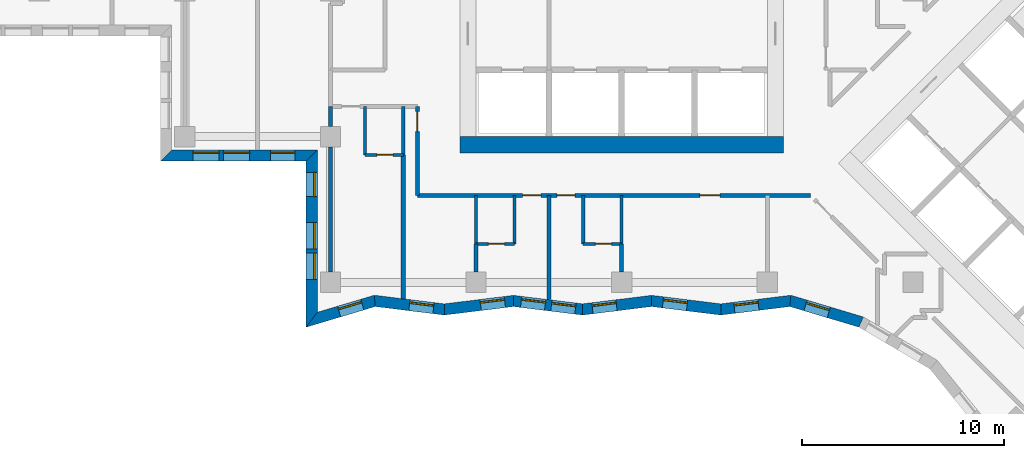
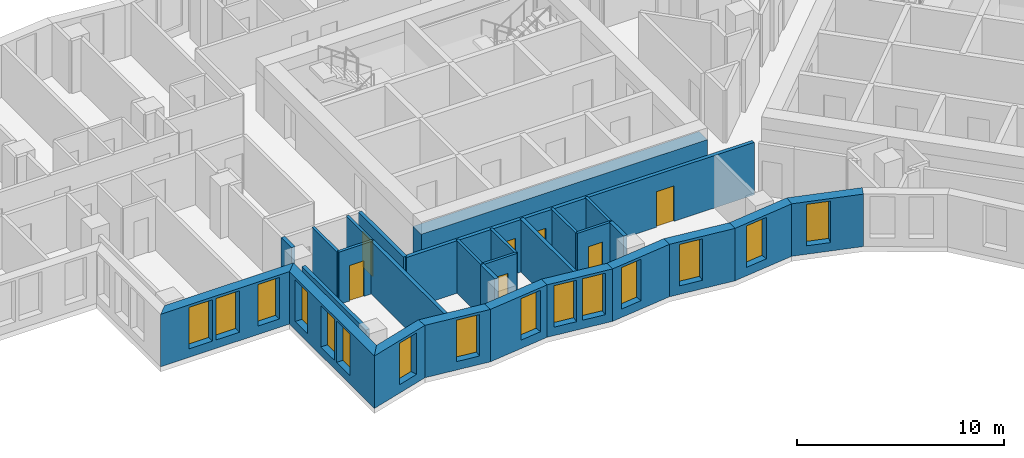
# One storey, part 2 of 13: 28 walls, 15 windows, 7 doors, 22 openings.
"""IFC4 building model written with IfcOpenShell, lengths in metres."""

from ifc_helpers import new_model, si_unit, direction, frame, frame_2d, origin, place, context, subcontext, project, spatial, polyline, rectangle, outline, extrude, material, layer, layer_set, type_object, element, fill, save


model = new_model("IFC4")

# Units and contexts
model_context = context("Model", 3, precision=1e-05, world=origin(), true_north=direction((0.0, 1.0)))
body_context = subcontext(model_context, "Body", "Model", "MODEL_VIEW")
ifc_project = project(units=[si_unit("LENGTHUNIT", "METRE"), si_unit("AREAUNIT", "SQUARE_METRE"), si_unit("VOLUMEUNIT", "CUBIC_METRE"), si_unit("PLANEANGLEUNIT", "RADIAN"), si_unit("MASSUNIT", "GRAM", prefix="KILO")], contexts=[model_context])

# Site, building, storey
site_placement = place(None, origin())
site = spatial("IfcSite", under=ifc_project, at=site_placement, CompositionType="ELEMENT")
building_placement = place(site_placement, origin())
building = spatial("IfcBuilding", under=site, at=building_placement, Name="Windrow Commons", CompositionType="ELEMENT")
storey_placement = place(building_placement, frame((0.0, 0.0, 94.8)))
storey = spatial("IfcBuildingStorey", under=building, at=storey_placement, Name="L25", CompositionType="ELEMENT", Elevation=94.8)

# Wall, openings, windows
ifc_material_1 = material(Name="Brick masonry, red clay brick", Category="masonry")
ifc_layer_1 = layer(ifc_material_1, 0.55)
ifc_layer_set_1 = layer_set([ifc_layer_1], Name="Brick facade wall 550")
wall_type_1 = type_object("IfcWallType", Name="Brick facade wall 550", PredefinedType="SOLIDWALL", material=ifc_layer_set_1)
wall_1_placement = place(storey_placement, frame((42.275, 49.475, 0.0), z_axis=(0.0, 0.0, 1.0), x_axis=(1.0, 0.0, 0.0)))
wall_1 = element("IfcWall", 1, at=wall_1_placement, inside=storey, type_object=wall_type_1, Name="Brick facade wall L25 42", PredefinedType="SOLIDWALL", context=body_context, shape_type="SweptSolid", body=[
    extrude(outline(polyline([(-0.275, -0.275), (6.925, -0.275), (7.475, 0.275), (0.275, 0.275), (-0.275, -0.275)])), origin(), (0.0, 0.0, 1.0), 3.1),
])
opening_1_placement = place(wall_1_placement, frame((1.325, 0.0, 0.5)))
opening_1 = element("IfcOpeningElement", 2, at=opening_1_placement, cuts=wall_1, Name="Opening W1P", PredefinedType="OPENING", context=body_context, shape_type="SweptSolid", body=[
    extrude(rectangle(XDim=1.3, YDim=2.45, at=frame_2d((0.65, 1.225))), frame((0.0, 0.285, 0.0), z_axis=(0.0, -1.0, 0.0), x_axis=(1.0, 0.0, 0.0)), (0.0, 0.0, 1.0), 0.57),
])
opening_2_placement = place(wall_1_placement, frame((2.825, 0.0, 0.5)))
opening_2 = element("IfcOpeningElement", 3, at=opening_2_placement, cuts=wall_1, Name="Opening W1P", PredefinedType="OPENING", context=body_context, shape_type="SweptSolid", body=[
    extrude(rectangle(XDim=1.3, YDim=2.45, at=frame_2d((0.65, 1.225))), frame((0.0, 0.285, 0.0), z_axis=(0.0, -1.0, 0.0), x_axis=(1.0, 0.0, 0.0)), (0.0, 0.0, 1.0), 0.57),
])
opening_3_placement = place(wall_1_placement, frame((5.1625, 0.0, 0.5)))
opening_3 = element("IfcOpeningElement", 4, at=opening_3_placement, cuts=wall_1, Name="Opening W7D", PredefinedType="OPENING", context=body_context, shape_type="SweptSolid", body=[
    extrude(rectangle(XDim=1.2, YDim=2.45, at=frame_2d((0.6, 1.225))), frame((0.0, 0.285, 0.0), z_axis=(0.0, -1.0, 0.0), x_axis=(1.0, 0.0, 0.0)), (0.0, 0.0, 1.0), 0.57),
])
ifc_material_2 = material(Name="Clear float glass in anodised aluminium frame", Category="aluminium")
window_type_1 = type_object("IfcWindowType", Name="Window W1P pair 1300x2450", PartitioningType="SINGLE_PANEL", PredefinedType="WINDOW", material=ifc_material_2)
window_1_placement = place(opening_1_placement, origin())
window_1 = element("IfcWindow", 5, at=window_1_placement, inside=storey, type_object=window_type_1, Name="Window L25 42.1A", OverallHeight=2.45, OverallWidth=1.3, PartitioningType="SINGLE_PANEL", PredefinedType="WINDOW", context=body_context, shape_type="SweptSolid", body=[
    extrude(rectangle(XDim=1.3, YDim=2.45, at=frame_2d((0.65, 1.225))), frame((0.0, 0.155, 0.0), z_axis=(0.0, -1.0, 0.0), x_axis=(1.0, 0.0, 0.0)), (0.0, 0.0, 1.0), 0.06),
])
fill(opening_1, window_1)
window_2_placement = place(opening_2_placement, origin())
window_2 = element("IfcWindow", 6, at=window_2_placement, inside=storey, type_object=window_type_1, Name="Window L25 42.1B", OverallHeight=2.45, OverallWidth=1.3, PartitioningType="SINGLE_PANEL", PredefinedType="WINDOW", context=body_context, shape_type="SweptSolid", body=[
    extrude(rectangle(XDim=1.3, YDim=2.45, at=frame_2d((0.65, 1.225))), frame((0.0, 0.155, 0.0), z_axis=(0.0, -1.0, 0.0), x_axis=(1.0, 0.0, 0.0)), (0.0, 0.0, 1.0), 0.06),
])
fill(opening_2, window_2)
ifc_material_3 = material(Name="Clear float glass in anodised aluminium frame", Category="aluminium")
window_type_2 = type_object("IfcWindowType", Name="Window W7 notch 1200x2450", PartitioningType="SINGLE_PANEL", PredefinedType="WINDOW", material=ifc_material_3)
window_3_placement = place(opening_3_placement, origin())
window_3 = element("IfcWindow", 7, at=window_3_placement, inside=storey, type_object=window_type_2, Name="Window L25 42.2", OverallHeight=2.45, OverallWidth=1.2, PartitioningType="SINGLE_PANEL", PredefinedType="WINDOW", context=body_context, shape_type="SweptSolid", body=[
    extrude(rectangle(XDim=1.2, YDim=2.45, at=frame_2d((0.6, 1.225))), frame((0.0, 0.155, 0.0), z_axis=(0.0, -1.0, 0.0), x_axis=(1.0, 0.0, 0.0)), (0.0, 0.0, 1.0), 0.06),
])
fill(opening_3, window_3)

wall_2_placement = place(storey_placement, frame((49.475, 49.475, 0.0), z_axis=(0.0, 0.0, 1.0), x_axis=(0.0, -1.0, 0.0)))
wall_2 = element("IfcWall", 8, at=wall_2_placement, inside=storey, type_object=wall_type_1, Name="Brick facade wall L25 43", PredefinedType="SOLIDWALL", context=body_context, shape_type="SweptSolid", body=[
    extrude(outline(polyline([(0.275, -0.275), (8.496, -0.275), (7.7576, 0.275), (-0.275, 0.275), (0.275, -0.275)])), origin(), (0.0, 0.0, 1.0), 3.1),
])
opening_4_placement = place(wall_2_placement, frame((3.325, 0.0, 0.5)))
opening_4 = element("IfcOpeningElement", 9, at=opening_4_placement, cuts=wall_2, Name="Opening W1P", PredefinedType="OPENING", context=body_context, shape_type="SweptSolid", body=[
    extrude(rectangle(XDim=1.3, YDim=2.45, at=frame_2d((0.65, 1.225))), frame((0.0, 0.285, 0.0), z_axis=(0.0, -1.0, 0.0), x_axis=(1.0, 0.0, 0.0)), (0.0, 0.0, 1.0), 0.57),
])
opening_5_placement = place(wall_2_placement, frame((4.825, 0.0, 0.5)))
opening_5 = element("IfcOpeningElement", 10, at=opening_5_placement, cuts=wall_2, Name="Opening W1P", PredefinedType="OPENING", context=body_context, shape_type="SweptSolid", body=[
    extrude(rectangle(XDim=1.3, YDim=2.45, at=frame_2d((0.65, 1.225))), frame((0.0, 0.285, 0.0), z_axis=(0.0, -1.0, 0.0), x_axis=(1.0, 0.0, 0.0)), (0.0, 0.0, 1.0), 0.57),
])
opening_6_placement = place(wall_2_placement, frame((0.8375, 0.0, 0.5)))
opening_6 = element("IfcOpeningElement", 11, at=opening_6_placement, cuts=wall_2, Name="Opening W7D", PredefinedType="OPENING", context=body_context, shape_type="SweptSolid", body=[
    extrude(rectangle(XDim=1.2, YDim=2.45, at=frame_2d((0.6, 1.225))), frame((0.0, 0.285, 0.0), z_axis=(0.0, -1.0, 0.0), x_axis=(1.0, 0.0, 0.0)), (0.0, 0.0, 1.0), 0.57),
])
window_4_placement = place(opening_4_placement, origin())
window_4 = element("IfcWindow", 12, at=window_4_placement, inside=storey, type_object=window_type_1, Name="Window L25 43.1A", OverallHeight=2.45, OverallWidth=1.3, PartitioningType="SINGLE_PANEL", PredefinedType="WINDOW", context=body_context, shape_type="SweptSolid", body=[
    extrude(rectangle(XDim=1.3, YDim=2.45, at=frame_2d((0.65, 1.225))), frame((0.0, 0.155, 0.0), z_axis=(0.0, -1.0, 0.0), x_axis=(1.0, 0.0, 0.0)), (0.0, 0.0, 1.0), 0.06),
])
fill(opening_4, window_4)
window_5_placement = place(opening_5_placement, origin())
window_5 = element("IfcWindow", 13, at=window_5_placement, inside=storey, type_object=window_type_1, Name="Window L25 43.1B", OverallHeight=2.45, OverallWidth=1.3, PartitioningType="SINGLE_PANEL", PredefinedType="WINDOW", context=body_context, shape_type="SweptSolid", body=[
    extrude(rectangle(XDim=1.3, YDim=2.45, at=frame_2d((0.65, 1.225))), frame((0.0, 0.155, 0.0), z_axis=(0.0, -1.0, 0.0), x_axis=(1.0, 0.0, 0.0)), (0.0, 0.0, 1.0), 0.06),
])
fill(opening_5, window_5)
window_6_placement = place(opening_6_placement, origin())
window_6 = element("IfcWindow", 14, at=window_6_placement, inside=storey, type_object=window_type_2, Name="Window L25 43.2", OverallHeight=2.45, OverallWidth=1.2, PartitioningType="SINGLE_PANEL", PredefinedType="WINDOW", context=body_context, shape_type="SweptSolid", body=[
    extrude(rectangle(XDim=1.2, YDim=2.45, at=frame_2d((0.6, 1.225))), frame((0.0, 0.155, 0.0), z_axis=(0.0, -1.0, 0.0), x_axis=(1.0, 0.0, 0.0)), (0.0, 0.0, 1.0), 0.06),
])
fill(opening_6, window_6)

# Wall, opening, window
wall_3_placement = place(storey_placement, frame((49.475, 41.3482, 0.0), z_axis=(0.0, 0.0, 1.0), x_axis=(0.9581327376, 0.2863243914, 0.0)))
wall_3 = element("IfcWall", 15, at=wall_3_placement, inside=storey, type_object=wall_type_1, Name="Brick facade wall L25 44", PredefinedType="SOLIDWALL", context=body_context, shape_type="SweptSolid", body=[
    extrude(outline(polyline([(-0.3692, -0.275), (3.1967, -0.275), (3.3119, 0.275), (0.3692, 0.275), (-0.3692, -0.275)])), origin(), (0.0, 0.0, 1.0), 3.1),
])
opening_7_placement = place(wall_3_placement, frame((1.4099, 0.0, 0.5)))
opening_7 = element("IfcOpeningElement", 16, at=opening_7_placement, cuts=wall_3, Name="Opening W7D", PredefinedType="OPENING", context=body_context, shape_type="SweptSolid", body=[
    extrude(rectangle(XDim=1.2, YDim=2.45, at=frame_2d((0.6, 1.225))), frame((0.0, 0.285, 0.0), z_axis=(0.0, -1.0, 0.0), x_axis=(1.0, 0.0, 0.0)), (0.0, 0.0, 1.0), 0.57),
])
window_7_placement = place(opening_7_placement, origin())
window_7 = element("IfcWindow", 17, at=window_7_placement, inside=storey, type_object=window_type_2, Name="Window L25 44.1", OverallHeight=2.45, OverallWidth=1.2, PartitioningType="SINGLE_PANEL", PredefinedType="WINDOW", context=body_context, shape_type="SweptSolid", body=[
    extrude(rectangle(XDim=1.2, YDim=2.45, at=frame_2d((0.6, 1.225))), frame((0.0, 0.155, 0.0), z_axis=(0.0, -1.0, 0.0), x_axis=(1.0, 0.0, 0.0)), (0.0, 0.0, 1.0), 0.06),
])
fill(opening_7, window_7)

wall_4_placement = place(storey_placement, frame((52.5931, 42.28, 0.0), z_axis=(0.0, 0.0, 1.0), x_axis=(0.9924934036, -0.1222981756, 0.0)))
wall_4 = element("IfcWall", 18, at=wall_4_placement, inside=storey, type_object=wall_type_1, Name="Brick facade wall L25 45", PredefinedType="SOLIDWALL", context=body_context, shape_type="SweptSolid", body=[
    extrude(outline(polyline([(0.0576, -0.275), (3.5001, -0.275), (3.4323, 0.275), (-0.0576, 0.275), (0.0576, -0.275)])), origin(), (0.0, 0.0, 1.0), 3.1),
])
opening_8_placement = place(wall_4_placement, frame((1.7249, 0.0, 0.5)))
opening_8 = element("IfcOpeningElement", 19, at=opening_8_placement, cuts=wall_4, Name="Opening W7D", PredefinedType="OPENING", context=body_context, shape_type="SweptSolid", body=[
    extrude(rectangle(XDim=1.2, YDim=2.45, at=frame_2d((0.6, 1.225))), frame((0.0, 0.285, 0.0), z_axis=(0.0, -1.0, 0.0), x_axis=(1.0, 0.0, 0.0)), (0.0, 0.0, 1.0), 0.57),
])
window_8_placement = place(opening_8_placement, origin())
window_8 = element("IfcWindow", 20, at=window_8_placement, inside=storey, type_object=window_type_2, Name="Window L25 45.1", OverallHeight=2.45, OverallWidth=1.2, PartitioningType="SINGLE_PANEL", PredefinedType="WINDOW", context=body_context, shape_type="SweptSolid", body=[
    extrude(rectangle(XDim=1.2, YDim=2.45, at=frame_2d((0.6, 1.225))), frame((0.0, 0.155, 0.0), z_axis=(0.0, -1.0, 0.0), x_axis=(1.0, 0.0, 0.0)), (0.0, 0.0, 1.0), 0.06),
])
fill(opening_8, window_8)

wall_5_placement = place(storey_placement, frame((56.0332, 41.8561, 0.0), z_axis=(0.0, 0.0, 1.0), x_axis=(0.9924939881, 0.122293432, 0.0)))
wall_5 = element("IfcWall", 21, at=wall_5_placement, inside=storey, type_object=wall_type_1, Name="Brick facade wall L25 46", PredefinedType="SOLIDWALL", context=body_context, shape_type="SweptSolid", body=[
    extrude(outline(polyline([(-0.0339, -0.275), (3.4086, -0.275), (3.4763, 0.275), (0.0339, 0.275), (-0.0339, -0.275)])), origin(), (0.0, 0.0, 1.0), 3.1),
])
opening_9_placement = place(wall_5_placement, frame((1.8105, 0.0, 0.5)))
opening_9 = element("IfcOpeningElement", 22, at=opening_9_placement, cuts=wall_5, Name="Opening W7D", PredefinedType="OPENING", context=body_context, shape_type="SweptSolid", body=[
    extrude(rectangle(XDim=1.2, YDim=2.45, at=frame_2d((0.6, 1.225))), frame((0.0, 0.285, 0.0), z_axis=(0.0, -1.0, 0.0), x_axis=(1.0, 0.0, 0.0)), (0.0, 0.0, 1.0), 0.57),
])
window_9_placement = place(opening_9_placement, origin())
window_9 = element("IfcWindow", 23, at=window_9_placement, inside=storey, type_object=window_type_2, Name="Window L25 46.1", OverallHeight=2.45, OverallWidth=1.2, PartitioningType="SINGLE_PANEL", PredefinedType="WINDOW", context=body_context, shape_type="SweptSolid", body=[
    extrude(rectangle(XDim=1.2, YDim=2.45, at=frame_2d((0.6, 1.225))), frame((0.0, 0.155, 0.0), z_axis=(0.0, -1.0, 0.0), x_axis=(1.0, 0.0, 0.0)), (0.0, 0.0, 1.0), 0.06),
])
fill(opening_9, window_9)

# Wall, openings, windows
wall_6_placement = place(storey_placement, frame((59.4499, 42.2771, 0.0), z_axis=(0.0, 0.0, 1.0), x_axis=(0.9924935537, -0.1222969578, 0.0)))
wall_6 = element("IfcWall", 24, at=wall_6_placement, inside=storey, type_object=wall_type_1, Name="Brick facade wall L25 47", PredefinedType="SOLIDWALL", context=body_context, shape_type="SweptSolid", body=[
    extrude(outline(polyline([(0.0339, -0.275), (3.4763, -0.275), (3.4086, 0.275), (-0.0339, 0.275), (0.0339, -0.275)])), origin(), (0.0, 0.0, 1.0), 3.1),
])
opening_10_placement = place(wall_6_placement, frame((0.3817, 0.0, 0.5)))
opening_10 = element("IfcOpeningElement", 25, at=opening_10_placement, cuts=wall_6, Name="Opening W7D", PredefinedType="OPENING", context=body_context, shape_type="SweptSolid", body=[
    extrude(rectangle(XDim=1.2, YDim=2.45, at=frame_2d((0.6, 1.225))), frame((0.0, 0.285, 0.0), z_axis=(0.0, -1.0, 0.0), x_axis=(1.0, 0.0, 0.0)), (0.0, 0.0, 1.0), 0.57),
])
opening_11_placement = place(wall_6_placement, frame((1.886, 0.0, 0.5)))
opening_11 = element("IfcOpeningElement", 26, at=opening_11_placement, cuts=wall_6, Name="Opening W7D", PredefinedType="OPENING", context=body_context, shape_type="SweptSolid", body=[
    extrude(rectangle(XDim=1.2, YDim=2.45, at=frame_2d((0.6, 1.225))), frame((0.0, 0.285, 0.0), z_axis=(0.0, -1.0, 0.0), x_axis=(1.0, 0.0, 0.0)), (0.0, 0.0, 1.0), 0.57),
])
window_10_placement = place(opening_10_placement, origin())
window_10 = element("IfcWindow", 27, at=window_10_placement, inside=storey, type_object=window_type_2, Name="Window L25 47.1", OverallHeight=2.45, OverallWidth=1.2, PartitioningType="SINGLE_PANEL", PredefinedType="WINDOW", context=body_context, shape_type="SweptSolid", body=[
    extrude(rectangle(XDim=1.2, YDim=2.45, at=frame_2d((0.6, 1.225))), frame((0.0, 0.155, 0.0), z_axis=(0.0, -1.0, 0.0), x_axis=(1.0, 0.0, 0.0)), (0.0, 0.0, 1.0), 0.06),
])
fill(opening_10, window_10)
window_11_placement = place(opening_11_placement, origin())
window_11 = element("IfcWindow", 28, at=window_11_placement, inside=storey, type_object=window_type_2, Name="Window L25 47.2", OverallHeight=2.45, OverallWidth=1.2, PartitioningType="SINGLE_PANEL", PredefinedType="WINDOW", context=body_context, shape_type="SweptSolid", body=[
    extrude(rectangle(XDim=1.2, YDim=2.45, at=frame_2d((0.6, 1.225))), frame((0.0, 0.155, 0.0), z_axis=(0.0, -1.0, 0.0), x_axis=(1.0, 0.0, 0.0)), (0.0, 0.0, 1.0), 0.06),
])
fill(opening_11, window_11)

# Wall, opening, window
wall_7_placement = place(storey_placement, frame((62.8665, 41.8561, 0.0), z_axis=(0.0, 0.0, 1.0), x_axis=(0.9924935537, 0.1222969578, 0.0)))
wall_7 = element("IfcWall", 29, at=wall_7_placement, inside=storey, type_object=wall_type_1, Name="Brick facade wall L25 48", PredefinedType="SOLIDWALL", context=body_context, shape_type="SweptSolid", body=[
    extrude(outline(polyline([(-0.0339, -0.275), (3.4086, -0.275), (3.4763, 0.275), (0.0339, 0.275), (-0.0339, -0.275)])), origin(), (0.0, 0.0, 1.0), 3.1),
])
opening_12_placement = place(wall_7_placement, frame((0.491, 0.0, 0.5)))
opening_12 = element("IfcOpeningElement", 30, at=opening_12_placement, cuts=wall_7, Name="Opening W7D", PredefinedType="OPENING", context=body_context, shape_type="SweptSolid", body=[
    extrude(rectangle(XDim=1.2, YDim=2.45, at=frame_2d((0.6, 1.225))), frame((0.0, 0.285, 0.0), z_axis=(0.0, -1.0, 0.0), x_axis=(1.0, 0.0, 0.0)), (0.0, 0.0, 1.0), 0.57),
])
window_12_placement = place(opening_12_placement, origin())
window_12 = element("IfcWindow", 31, at=window_12_placement, inside=storey, type_object=window_type_2, Name="Window L25 48.1", OverallHeight=2.45, OverallWidth=1.2, PartitioningType="SINGLE_PANEL", PredefinedType="WINDOW", context=body_context, shape_type="SweptSolid", body=[
    extrude(rectangle(XDim=1.2, YDim=2.45, at=frame_2d((0.6, 1.225))), frame((0.0, 0.155, 0.0), z_axis=(0.0, -1.0, 0.0), x_axis=(1.0, 0.0, 0.0)), (0.0, 0.0, 1.0), 0.06),
])
fill(opening_12, window_12)

wall_8_placement = place(storey_placement, frame((66.2831, 42.2771, 0.0), z_axis=(0.0, 0.0, 1.0), x_axis=(0.9924935537, -0.1222969578, 0.0)))
wall_8 = element("IfcWall", 32, at=wall_8_placement, inside=storey, type_object=wall_type_1, Name="Brick facade wall L25 49", PredefinedType="SOLIDWALL", context=body_context, shape_type="SweptSolid", body=[
    extrude(outline(polyline([(0.0339, -0.275), (3.4763, -0.275), (3.4086, 0.275), (-0.0339, 0.275), (0.0339, -0.275)])), origin(), (0.0, 0.0, 1.0), 3.1),
])
opening_13_placement = place(wall_8_placement, frame((0.5664, 0.0, 0.5)))
opening_13 = element("IfcOpeningElement", 33, at=opening_13_placement, cuts=wall_8, Name="Opening W7D", PredefinedType="OPENING", context=body_context, shape_type="SweptSolid", body=[
    extrude(rectangle(XDim=1.2, YDim=2.45, at=frame_2d((0.6, 1.225))), frame((0.0, 0.285, 0.0), z_axis=(0.0, -1.0, 0.0), x_axis=(1.0, 0.0, 0.0)), (0.0, 0.0, 1.0), 0.57),
])
window_13_placement = place(opening_13_placement, origin())
window_13 = element("IfcWindow", 34, at=window_13_placement, inside=storey, type_object=window_type_2, Name="Window L25 49.1", OverallHeight=2.45, OverallWidth=1.2, PartitioningType="SINGLE_PANEL", PredefinedType="WINDOW", context=body_context, shape_type="SweptSolid", body=[
    extrude(rectangle(XDim=1.2, YDim=2.45, at=frame_2d((0.6, 1.225))), frame((0.0, 0.155, 0.0), z_axis=(0.0, -1.0, 0.0), x_axis=(1.0, 0.0, 0.0)), (0.0, 0.0, 1.0), 0.06),
])
fill(opening_13, window_13)

wall_9_placement = place(storey_placement, frame((69.6997, 41.8561, 0.0), z_axis=(0.0, 0.0, 1.0), x_axis=(0.9924938351, 0.1222946738, 0.0)))
wall_9 = element("IfcWall", 35, at=wall_9_placement, inside=storey, type_object=wall_type_1, Name="Brick facade wall L25 50", PredefinedType="SOLIDWALL", context=body_context, shape_type="SweptSolid", body=[
    extrude(outline(polyline([(-0.0339, -0.275), (3.4086, -0.275), (3.5238, 0.275), (0.0339, 0.275), (-0.0339, -0.275)])), origin(), (0.0, 0.0, 1.0), 3.1),
])
opening_14_placement = place(wall_9_placement, frame((0.6758, 0.0, 0.5)))
opening_14 = element("IfcOpeningElement", 36, at=opening_14_placement, cuts=wall_9, Name="Opening W7D", PredefinedType="OPENING", context=body_context, shape_type="SweptSolid", body=[
    extrude(rectangle(XDim=1.2, YDim=2.45, at=frame_2d((0.6, 1.225))), frame((0.0, 0.285, 0.0), z_axis=(0.0, -1.0, 0.0), x_axis=(1.0, 0.0, 0.0)), (0.0, 0.0, 1.0), 0.57),
])
window_14_placement = place(opening_14_placement, origin())
window_14 = element("IfcWindow", 37, at=window_14_placement, inside=storey, type_object=window_type_2, Name="Window L25 50.1", OverallHeight=2.45, OverallWidth=1.2, PartitioningType="SINGLE_PANEL", PredefinedType="WINDOW", context=body_context, shape_type="SweptSolid", body=[
    extrude(rectangle(XDim=1.2, YDim=2.45, at=frame_2d((0.6, 1.225))), frame((0.0, 0.155, 0.0), z_axis=(0.0, -1.0, 0.0), x_axis=(1.0, 0.0, 0.0)), (0.0, 0.0, 1.0), 0.06),
])
fill(opening_14, window_14)

wall_10_placement = place(storey_placement, frame((73.1399, 42.28, 0.0), z_axis=(0.0, 0.0, 1.0), x_axis=(0.9581298103, -0.286334187, 0.0)))
wall_10 = element("IfcWall", 38, at=wall_10_placement, inside=storey, type_object=wall_type_1, Name="Brick facade wall L25 51", PredefinedType="SOLIDWALL", context=body_context, shape_type="SweptSolid", body=[
    extrude(outline(polyline([(0.0576, -0.275), (3.6235, -0.275), (3.6903, 0.275), (-0.0576, 0.275), (0.0576, -0.275)])), origin(), (0.0, 0.0, 1.0), 3.1),
])
opening_15_placement = place(wall_10_placement, frame((0.7838, 0.0, 0.5)))
opening_15 = element("IfcOpeningElement", 39, at=opening_15_placement, cuts=wall_10, Name="Opening W7D", PredefinedType="OPENING", context=body_context, shape_type="SweptSolid", body=[
    extrude(rectangle(XDim=1.2, YDim=2.45, at=frame_2d((0.6, 1.225))), frame((0.0, 0.285, 0.0), z_axis=(0.0, -1.0, 0.0), x_axis=(1.0, 0.0, 0.0)), (0.0, 0.0, 1.0), 0.57),
])
window_15_placement = place(opening_15_placement, origin())
window_15 = element("IfcWindow", 40, at=window_15_placement, inside=storey, type_object=window_type_2, Name="Window L25 51.1", OverallHeight=2.45, OverallWidth=1.2, PartitioningType="SINGLE_PANEL", PredefinedType="WINDOW", context=body_context, shape_type="SweptSolid", body=[
    extrude(rectangle(XDim=1.2, YDim=2.45, at=frame_2d((0.6, 1.225))), frame((0.0, 0.155, 0.0), z_axis=(0.0, -1.0, 0.0), x_axis=(1.0, 0.0, 0.0)), (0.0, 0.0, 1.0), 0.06),
])
fill(opening_15, window_15)

# Wall, openings, doors
ifc_material_4 = material(Name="Blockwork partition", Category="masonry")
ifc_layer_2 = layer(ifc_material_4, 0.2)
ifc_layer_set_2 = layer_set([ifc_layer_2], Name="IW-CORRIDOR-200")
wall_type_2 = type_object("IfcWallType", Name="IW-CORRIDOR-200", PredefinedType="PARTITIONING", material=ifc_layer_set_2)
wall_11_placement = place(storey_placement, frame((54.7, 47.5, 0.0), z_axis=(0.0, 0.0, 1.0), x_axis=(1.0, 0.0, 0.0)))
wall_11 = element("IfcWall", 41, at=wall_11_placement, inside=storey, type_object=wall_type_2, Name="W-L25-W002", PredefinedType="PARTITIONING", context=body_context, shape_type="SweptSolid", body=[
    extrude(rectangle(XDim=19.442, YDim=0.2, at=frame_2d((9.721, 0.0))), origin(), (0.0, 0.0, 1.0), 3.1),
])
opening_16_placement = place(wall_11_placement, frame((5.2, 0.0, 0.0)))
opening_16 = element("IfcOpeningElement", 42, at=opening_16_placement, cuts=wall_11, Name="Opening D109S", PredefinedType="OPENING", context=body_context, shape_type="SweptSolid", body=[
    extrude(rectangle(XDim=0.9, YDim=2.1, at=frame_2d((0.45, 1.05))), frame((0.0, 0.11, 0.0), z_axis=(0.0, -1.0, 0.0), x_axis=(1.0, 0.0, 0.0)), (0.0, 0.0, 1.0), 0.22),
])
opening_17_placement = place(wall_11_placement, frame((6.9, 0.0, 0.0)))
opening_17 = element("IfcOpeningElement", 43, at=opening_17_placement, cuts=wall_11, Name="Opening D109S", PredefinedType="OPENING", context=body_context, shape_type="SweptSolid", body=[
    extrude(rectangle(XDim=0.9, YDim=2.1, at=frame_2d((0.45, 1.05))), frame((0.0, 0.11, 0.0), z_axis=(0.0, -1.0, 0.0), x_axis=(1.0, 0.0, 0.0)), (0.0, 0.0, 1.0), 0.22),
])
opening_18_placement = place(wall_11_placement, frame((13.9625, 0.0, 0.0)))
opening_18 = element("IfcOpeningElement", 44, at=opening_18_placement, cuts=wall_11, Name="Opening D310F", PredefinedType="OPENING", context=body_context, shape_type="SweptSolid", body=[
    extrude(rectangle(XDim=1.0, YDim=2.1, at=frame_2d((0.5, 1.05))), frame((0.0, 0.11, 0.0), z_axis=(0.0, -1.0, 0.0), x_axis=(1.0, 0.0, 0.0)), (0.0, 0.0, 1.0), 0.22),
])
ifc_material_5 = material(Name="Timber door leaf", Category="wood")
door_type_1 = type_object("IfcDoorType", Name="DT-AMENITY-1000", OperationType="SINGLE_SWING_LEFT", PredefinedType="DOOR", material=ifc_material_5)
door_1_placement = place(opening_18_placement, origin())
door_1 = element("IfcDoor", 45, at=door_1_placement, inside=storey, type_object=door_type_1, Name="D-L25-D041", OperationType="SINGLE_SWING_LEFT", OverallHeight=2.1, OverallWidth=1.0, PredefinedType="DOOR", context=body_context, shape_type="SweptSolid", body=[
    extrude(rectangle(XDim=1.0, YDim=2.1, at=frame_2d((0.5, 1.05))), frame((0.0, 0.025, 0.0), z_axis=(0.0, -1.0, 0.0), x_axis=(1.0, 0.0, 0.0)), (0.0, 0.0, 1.0), 0.05),
])
fill(opening_18, door_1)
ifc_material_6 = material(Name="Timber door leaf", Category="wood")
door_type_2 = type_object("IfcDoorType", Name="DT-BEDROOM-900", OperationType="SINGLE_SWING_LEFT", PredefinedType="DOOR", material=ifc_material_6)
door_2_placement = place(opening_16_placement, origin())
door_2 = element("IfcDoor", 46, at=door_2_placement, inside=storey, type_object=door_type_2, Name="D-L25-D037", OperationType="SINGLE_SWING_LEFT", OverallHeight=2.1, OverallWidth=0.9, PredefinedType="DOOR", context=body_context, shape_type="SweptSolid", body=[
    extrude(rectangle(XDim=0.9, YDim=2.1, at=frame_2d((0.45, 1.05))), frame((0.0, 0.025, 0.0), z_axis=(0.0, -1.0, 0.0), x_axis=(1.0, 0.0, 0.0)), (0.0, 0.0, 1.0), 0.05),
])
fill(opening_16, door_2)
door_3_placement = place(opening_17_placement, origin())
door_3 = element("IfcDoor", 47, at=door_3_placement, inside=storey, type_object=door_type_2, Name="D-L25-D039", OperationType="SINGLE_SWING_RIGHT", OverallHeight=2.1, OverallWidth=0.9, PredefinedType="DOOR", context=body_context, shape_type="SweptSolid", body=[
    extrude(rectangle(XDim=0.9, YDim=2.1, at=frame_2d((0.45, 1.05))), frame((0.0, 0.025, 0.0), z_axis=(0.0, -1.0, 0.0), x_axis=(1.0, 0.0, 0.0)), (0.0, 0.0, 1.0), 0.05),
])
fill(opening_17, door_3)

# Wall, opening, door
wall_12_placement = place(storey_placement, frame((54.7, 47.5, 0.0), z_axis=(0.0, 0.0, 1.0), x_axis=(0.0, 1.0, 0.0)))
wall_12 = element("IfcWall", 48, at=wall_12_placement, inside=storey, type_object=wall_type_2, Name="W-L25-W046", PredefinedType="PARTITIONING", context=body_context, shape_type="SweptSolid", body=[
    extrude(rectangle(XDim=4.4, YDim=0.2, at=frame_2d((2.2, 0.0))), origin(), (0.0, 0.0, 1.0), 3.1),
])
opening_19_placement = place(wall_12_placement, frame((3.149, 0.0, 0.0)))
opening_19 = element("IfcOpeningElement", 49, at=opening_19_placement, cuts=wall_12, Name="Opening D310F", PredefinedType="OPENING", context=body_context, shape_type="SweptSolid", body=[
    extrude(rectangle(XDim=1.0, YDim=2.1, at=frame_2d((0.5, 1.05))), frame((0.0, 0.11, 0.0), z_axis=(0.0, -1.0, 0.0), x_axis=(1.0, 0.0, 0.0)), (0.0, 0.0, 1.0), 0.22),
])
door_4_placement = place(opening_19_placement, origin())
door_4 = element("IfcDoor", 50, at=door_4_placement, inside=storey, type_object=door_type_1, Name="D-L25-D028", OperationType="SINGLE_SWING_RIGHT", OverallHeight=2.1, OverallWidth=1.0, PredefinedType="DOOR", context=body_context, shape_type="SweptSolid", body=[
    extrude(rectangle(XDim=1.0, YDim=2.1, at=frame_2d((0.5, 1.05))), frame((0.0, 0.025, 0.0), z_axis=(0.0, -1.0, 0.0), x_axis=(1.0, 0.0, 0.0)), (0.0, 0.0, 1.0), 0.05),
])
fill(opening_19, door_4)

# Walls
ifc_material_7 = material(Name="Blockwork partition", Category="masonry")
ifc_layer_3 = layer(ifc_material_7, 0.15)
ifc_layer_set_3 = layer_set([ifc_layer_3], Name="IW-ENSUITE-150")
wall_type_3 = type_object("IfcWallType", Name="IW-ENSUITE-150", PredefinedType="PARTITIONING", material=ifc_layer_set_3)
for number, where, z_axis, x_axis, name in (
    (51, (52.1, 49.5, 0.0), (0.0, 0.0, 1.0), (0.0, 1.0, 0.0), "W-L25-W083"),
    (52, (54.0, 49.5, 0.0), (0.0, 0.0, 1.0), (0.0, 1.0, 0.0), "W-L25-W084"),
    (53, (59.5, 45.1, 0.0), (0.0, 0.0, 1.0), (0.0, 1.0, 0.0), "W-L25-W085"),
    (54, (57.6, 45.1, 0.0), (0.0, 0.0, 1.0), (0.0, 1.0, 0.0), "W-L25-W086"),
    (55, (62.9, 45.1, 0.0), (0.0, 0.0, 1.0), (0.0, 1.0, 0.0), "W-L25-W087"),
    (56, (64.8, 45.1, 0.0), (0.0, 0.0, 1.0), (0.0, 1.0, 0.0), "W-L25-W088"),
):
    element("IfcWall", number, at=place(storey_placement, frame(where, z_axis=z_axis, x_axis=x_axis)), inside=storey, type_object=wall_type_3, Name=name, PredefinedType="PARTITIONING", context=body_context, shape_type="SweptSolid", body=[
        extrude(rectangle(XDim=2.4, YDim=0.15, at=frame_2d((1.2, 0.0))), origin(), (0.0, 0.0, 1.0), 3.1),
    ])

# Wall, opening, door
wall_13_placement = place(storey_placement, frame((52.1, 49.5, 0.0), z_axis=(0.0, 0.0, 1.0), x_axis=(1.0, 0.0, 0.0)))
wall_13 = element("IfcWall", 57, at=wall_13_placement, inside=storey, type_object=wall_type_3, Name="W-L25-W139", PredefinedType="PARTITIONING", context=body_context, shape_type="SweptSolid", body=[
    extrude(rectangle(XDim=1.9, YDim=0.15, at=frame_2d((0.95, 0.0))), origin(), (0.0, 0.0, 1.0), 3.1),
])
opening_20_placement = place(wall_13_placement, frame((0.5979, 0.0, 0.0)))
opening_20 = element("IfcOpeningElement", 58, at=opening_20_placement, cuts=wall_13, Name="Opening D208N", PredefinedType="OPENING", context=body_context, shape_type="SweptSolid", body=[
    extrude(rectangle(XDim=0.8, YDim=2.1, at=frame_2d((0.4, 1.05))), frame((0.0, 0.085, 0.0), z_axis=(0.0, -1.0, 0.0), x_axis=(1.0, 0.0, 0.0)), (0.0, 0.0, 1.0), 0.17),
])
ifc_material_8 = material(Name="Timber door leaf", Category="wood")
door_type_3 = type_object("IfcDoorType", Name="DT-ENSUITE-800", OperationType="SINGLE_SWING_LEFT", PredefinedType="DOOR", material=ifc_material_8)
door_5_placement = place(opening_20_placement, origin())
door_5 = element("IfcDoor", 59, at=door_5_placement, inside=storey, type_object=door_type_3, Name="D-L25-D027", OperationType="SINGLE_SWING_RIGHT", OverallHeight=2.1, OverallWidth=0.8, PredefinedType="DOOR", context=body_context, shape_type="SweptSolid", body=[
    extrude(rectangle(XDim=0.8, YDim=2.1, at=frame_2d((0.4, 1.05))), frame((0.0, 0.025, 0.0), z_axis=(0.0, -1.0, 0.0), x_axis=(1.0, 0.0, 0.0)), (0.0, 0.0, 1.0), 0.05),
])
fill(opening_20, door_5)

wall_14_placement = place(storey_placement, frame((57.6, 45.1, 0.0), z_axis=(0.0, 0.0, 1.0), x_axis=(1.0, 0.0, 0.0)))
wall_14 = element("IfcWall", 60, at=wall_14_placement, inside=storey, type_object=wall_type_3, Name="W-L25-W141", PredefinedType="PARTITIONING", context=body_context, shape_type="SweptSolid", body=[
    extrude(rectangle(XDim=1.9, YDim=0.15, at=frame_2d((0.95, 0.0))), origin(), (0.0, 0.0, 1.0), 3.1),
])
opening_21_placement = place(wall_14_placement, frame((0.6069, 0.0, 0.0)))
opening_21 = element("IfcOpeningElement", 61, at=opening_21_placement, cuts=wall_14, Name="Opening D208N", PredefinedType="OPENING", context=body_context, shape_type="SweptSolid", body=[
    extrude(rectangle(XDim=0.8, YDim=2.1, at=frame_2d((0.4, 1.05))), frame((0.0, 0.085, 0.0), z_axis=(0.0, -1.0, 0.0), x_axis=(1.0, 0.0, 0.0)), (0.0, 0.0, 1.0), 0.17),
])
door_6_placement = place(opening_21_placement, origin())
door_6 = element("IfcDoor", 62, at=door_6_placement, inside=storey, type_object=door_type_3, Name="D-L25-D038", OperationType="SINGLE_SWING_RIGHT", OverallHeight=2.1, OverallWidth=0.8, PredefinedType="DOOR", context=body_context, shape_type="SweptSolid", body=[
    extrude(rectangle(XDim=0.8, YDim=2.1, at=frame_2d((0.4, 1.05))), frame((0.0, 0.025, 0.0), z_axis=(0.0, -1.0, 0.0), x_axis=(1.0, 0.0, 0.0)), (0.0, 0.0, 1.0), 0.05),
])
fill(opening_21, door_6)

wall_15_placement = place(storey_placement, frame((62.9, 45.1, 0.0), z_axis=(0.0, 0.0, 1.0), x_axis=(1.0, 0.0, 0.0)))
wall_15 = element("IfcWall", 63, at=wall_15_placement, inside=storey, type_object=wall_type_3, Name="W-L25-W142", PredefinedType="PARTITIONING", context=body_context, shape_type="SweptSolid", body=[
    extrude(rectangle(XDim=1.9, YDim=0.15, at=frame_2d((0.95, 0.0))), origin(), (0.0, 0.0, 1.0), 3.1),
])
opening_22_placement = place(wall_15_placement, frame((0.5979, 0.0, 0.0)))
opening_22 = element("IfcOpeningElement", 64, at=opening_22_placement, cuts=wall_15, Name="Opening D208N", PredefinedType="OPENING", context=body_context, shape_type="SweptSolid", body=[
    extrude(rectangle(XDim=0.8, YDim=2.1, at=frame_2d((0.4, 1.05))), frame((0.0, 0.085, 0.0), z_axis=(0.0, -1.0, 0.0), x_axis=(1.0, 0.0, 0.0)), (0.0, 0.0, 1.0), 0.17),
])
door_7_placement = place(opening_22_placement, origin())
door_7 = element("IfcDoor", 65, at=door_7_placement, inside=storey, type_object=door_type_3, Name="D-L25-D040", OperationType="SINGLE_SWING_RIGHT", OverallHeight=2.1, OverallWidth=0.8, PredefinedType="DOOR", context=body_context, shape_type="SweptSolid", body=[
    extrude(rectangle(XDim=0.8, YDim=2.1, at=frame_2d((0.4, 1.05))), frame((0.0, 0.025, 0.0), z_axis=(0.0, -1.0, 0.0), x_axis=(1.0, 0.0, 0.0)), (0.0, 0.0, 1.0), 0.05),
])
fill(opening_22, door_7)

# Walls
ifc_material_9 = material(Name="Blockwork partition", Category="masonry")
ifc_layer_4 = layer(ifc_material_9, 0.2)
ifc_layer_set_4 = layer_set([ifc_layer_4], Name="IW-PARTY-200")
wall_type_4 = type_object("IfcWallType", Name="IW-PARTY-200", PredefinedType="PARTITIONING", material=ifc_layer_set_4)
wall_16_placement = place(storey_placement, frame((54.0, 42.3837, 0.0), z_axis=(0.0, 0.0, 1.0), x_axis=(0.0, 1.0, 0.0)))
element("IfcWall", 66, at=wall_16_placement, inside=storey, type_object=wall_type_4, Name="W-L25-W021", PredefinedType="PARTITIONING", context=body_context, shape_type="SweptSolid", body=[
    extrude(rectangle(XDim=7.1163, YDim=0.2, at=frame_2d((3.5581, 0.0))), origin(), (0.0, 0.0, 1.0), 3.1),
])
wall_17_placement = place(storey_placement, frame((50.4, 43.7, 0.0), z_axis=(0.0, 0.0, 1.0), x_axis=(0.0, 1.0, 0.0)))
element("IfcWall", 67, at=wall_17_placement, inside=storey, type_object=wall_type_4, Name="W-L25-W029", PredefinedType="PARTITIONING", context=body_context, shape_type="SweptSolid", body=[
    extrude(rectangle(XDim=6.2, YDim=0.2, at=frame_2d((3.1, 0.0))), origin(), (0.0, 0.0, 1.0), 2.6),
])
wall_18_placement = place(storey_placement, frame((61.2, 42.3385, 0.0), z_axis=(0.0, 0.0, 1.0), x_axis=(0.0, 1.0, 0.0)))
element("IfcWall", 68, at=wall_18_placement, inside=storey, type_object=wall_type_4, Name="W-L25-W042", PredefinedType="PARTITIONING", context=body_context, shape_type="SweptSolid", body=[
    extrude(rectangle(XDim=5.1615, YDim=0.2, at=frame_2d((2.5808, 0.0))), origin(), (0.0, 0.0, 1.0), 3.1),
])
for number, where, z_axis, x_axis, name in (
    (69, (57.6, 43.7, 0.0), (0.0, 0.0, 1.0), (0.0, 1.0, 0.0), "W-L25-W169"),
    (70, (64.8, 43.7, 0.0), (0.0, 0.0, 1.0), (0.0, 1.0, 0.0), "W-L25-W170"),
):
    element("IfcWall", number, at=place(storey_placement, frame(where, z_axis=z_axis, x_axis=x_axis)), inside=storey, type_object=wall_type_4, Name=name, PredefinedType="PARTITIONING", context=body_context, shape_type="SweptSolid", body=[
        extrude(rectangle(XDim=1.4, YDim=0.2, at=frame_2d((0.7, 0.0))), origin(), (0.0, 0.0, 1.0), 3.1),
    ])
wall_19_placement = place(storey_placement, frame((50.4, 50.9, 0.0), z_axis=(0.0, 0.0, 1.0), x_axis=(0.0, 1.0, 0.0)))
element("IfcWall", 71, at=wall_19_placement, inside=storey, type_object=wall_type_4, Name="W-L25-W182", PredefinedType="PARTITIONING", context=body_context, shape_type="SweptSolid", body=[
    extrude(rectangle(XDim=1.0, YDim=0.2, at=frame_2d((0.5, 0.0))), origin(), (0.0, 0.0, 1.0), 3.1),
])
ifc_material_10 = material(Name="Concrete C50/60", Category="concrete")
ifc_layer_5 = layer(ifc_material_10, 0.8)
ifc_layer_set_5 = layer_set([ifc_layer_5], Name="RC CORE WALL 800 C50/60")
wall_type_5 = type_object("IfcWallType", Name="RC CORE WALL 800 C50/60", PredefinedType="SHEAR", material=ifc_layer_set_5)
wall_20_placement = place(storey_placement, frame((56.8, 50.0, -0.3), z_axis=(0.0, 0.0, 1.0), x_axis=(1.0, 0.0, 0.0)))
element("IfcWall", 72, at=wall_20_placement, inside=storey, type_object=wall_type_5, Name="Core A wall outer-S", PredefinedType="SHEAR", context=body_context, shape_type="SweptSolid", body=[
    extrude(rectangle(XDim=16.0, YDim=0.8, at=frame_2d((8.0, 0.0))), origin(), (0.0, 0.0, 1.0), 2.7),
])

save(model, "model.ifc")
